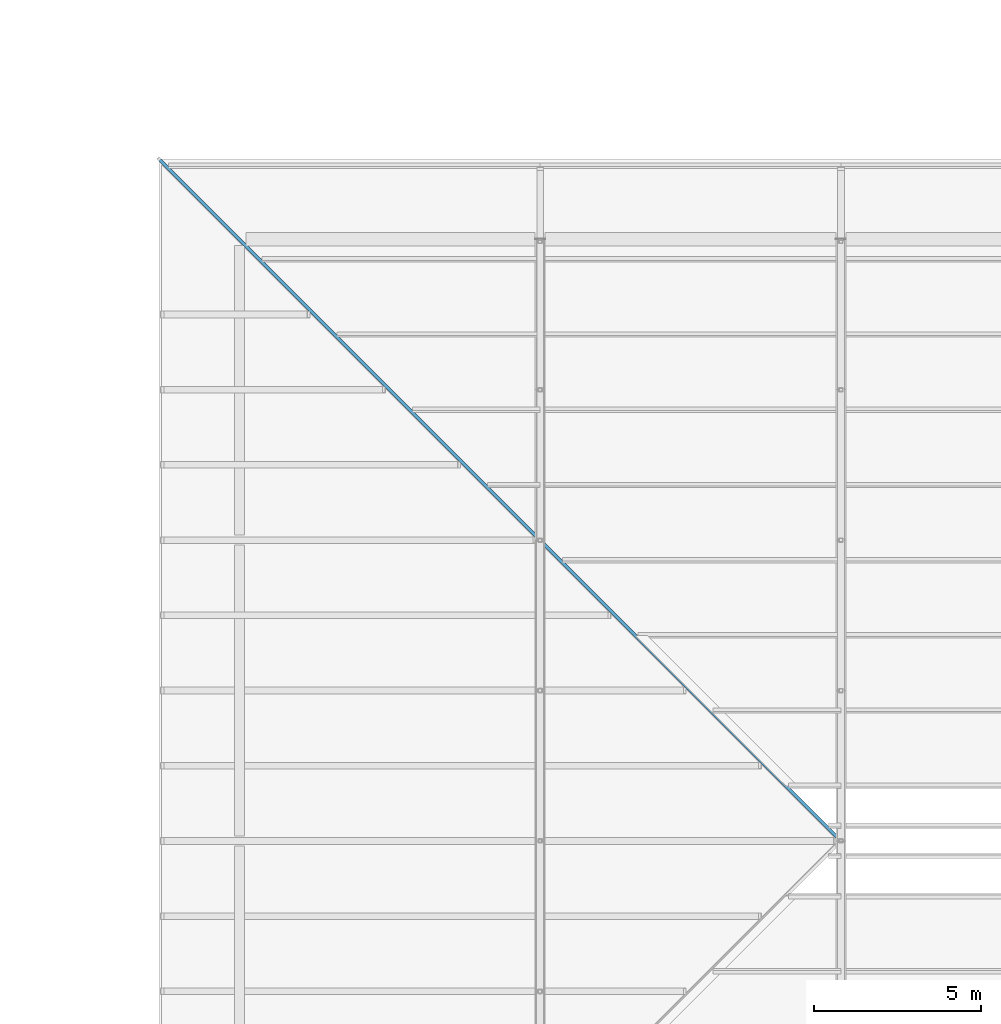
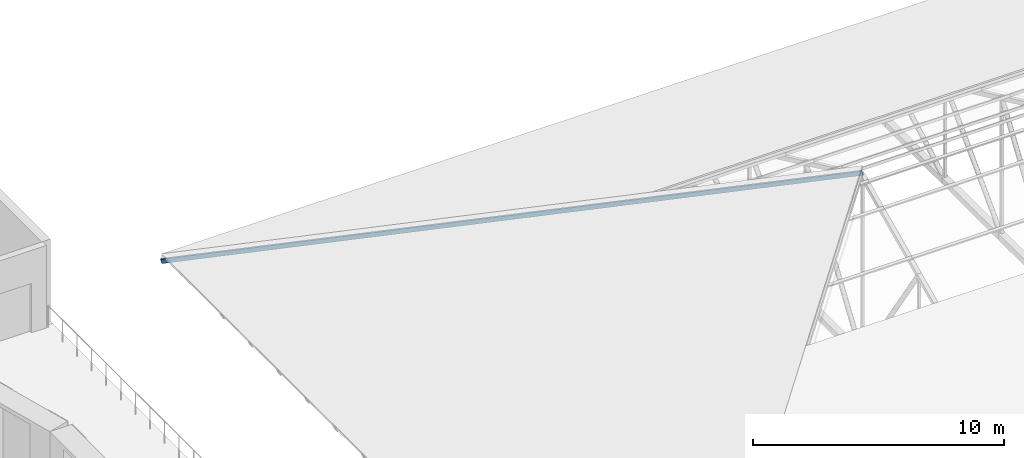
# One storey, part 55 of 154: 1 member.
"""IFC4 building model written with IfcOpenShell, lengths in metres."""

from ifc_helpers import new_model, si_unit, direction, frame, origin, origin_2d, place, context, subcontext, project, spatial, hollow_rectangle, extrude, material, material_profile, profile_set, type_object, element, save


model = new_model("IFC4")

# Units and contexts
model_context = context("Model", 3, precision=1e-05, world=origin(), true_north=direction((0.0, 1.0)))
body_context = subcontext(model_context, "Body", "Model", "MODEL_VIEW")
ifc_project = project(units=[si_unit("LENGTHUNIT", "METRE"), si_unit("AREAUNIT", "SQUARE_METRE"), si_unit("VOLUMEUNIT", "CUBIC_METRE"), si_unit("PLANEANGLEUNIT", "RADIAN"), si_unit("MASSUNIT", "GRAM", prefix="KILO")], contexts=[model_context])

# Site, building, storey
site_placement = place(None, origin())
site = spatial("IfcSite", under=ifc_project, at=site_placement, CompositionType="ELEMENT")
building_placement = place(site_placement, origin())
building = spatial("IfcBuilding", under=site, at=building_placement, Name="Golden Quay Civic Hall", CompositionType="ELEMENT")
storey_placement = place(building_placement, frame((0.0, 0.0, 14.39990234375)))
storey = spatial("IfcBuildingStorey", under=building, at=storey_placement, Name="L03", CompositionType="ELEMENT", Elevation=14.39990234375)

# Member
ifc_material = material(Name="Steel S355", Category="steel")
ifc_material_profile = material_profile(ifc_material, hollow_rectangle(XDim=0.10009765625, YDim=0.199951171875, WallThickness=0.008056640625, at=origin_2d()), Name="RHS 200x100x8")
ifc_profile_set = profile_set([ifc_material_profile], Name="Steel S355")
member_type = type_object("IfcMemberType", Name="Steel hip rafter RHS 200x100x8", PredefinedType="RAFTER", material=ifc_profile_set)
member_placement = place(storey_placement, frame((114.60009765625, 101.39990234375, -0.663818359375), z_axis=(0.671542486874, -0.671542486874, 0.313147531757), x_axis=(0.707106781187, 0.707106781187, 0.0)))
element("IfcMember", 1, at=member_placement, inside=storey, type_object=member_type, Name="Hip rafter north-west L03", PredefinedType="RAFTER", context=body_context, shape_type="SweptSolid", body=[
    extrude(hollow_rectangle(XDim=0.10009765625, YDim=0.199951171875, WallThickness=0.008056640625, at=origin_2d()), origin(), (0.0, 0.0, 1.0), 30.377685546875),
])

save(model, "model.ifc")
